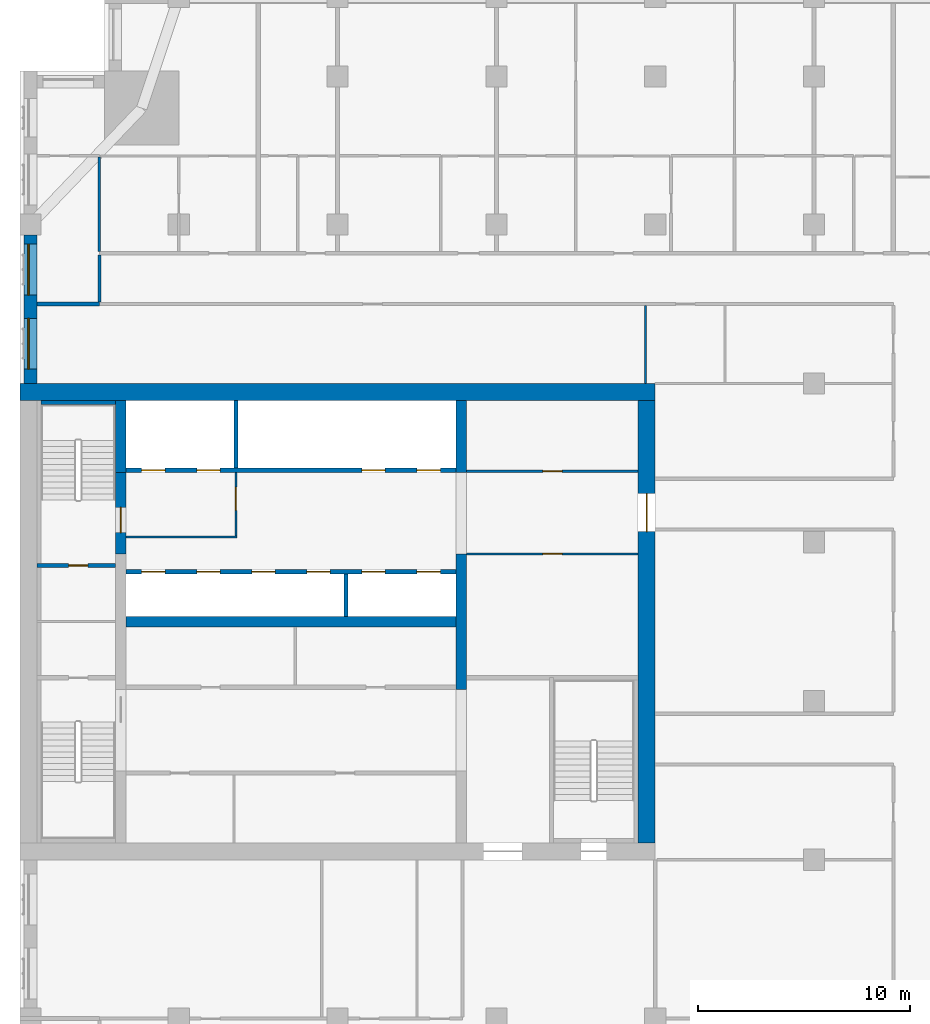
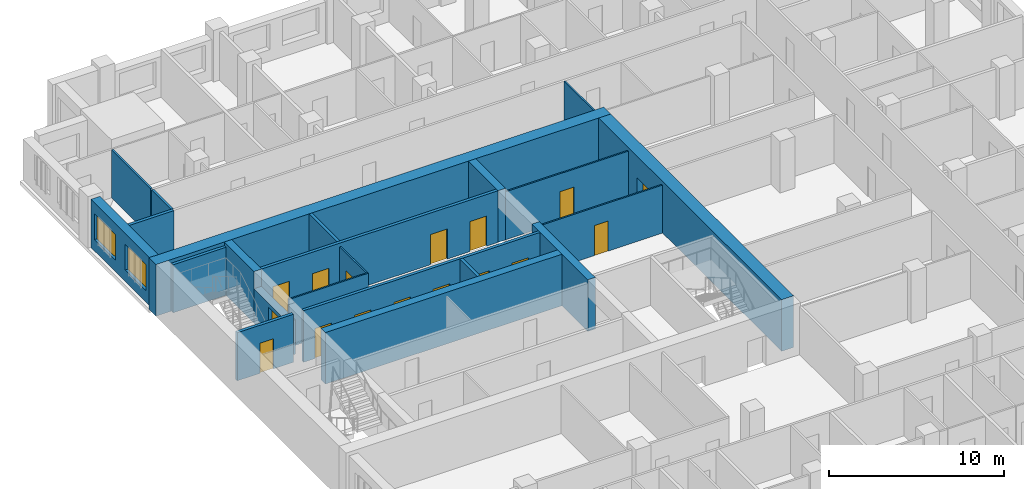
# One storey, part 8 of 14: 22 walls, 16 doors, 2 windows, 18 openings.
"""IFC4 building model written with IfcOpenShell, lengths in metres."""

from ifc_helpers import new_model, si_unit, direction, frame, frame_2d, origin, place, context, subcontext, project, spatial, rectangle, extrude, material, layer, layer_set, type_object, element, fill, save


model = new_model("IFC4")

# Units and contexts
model_context = context("Model", 3, precision=1e-05, world=origin(), true_north=direction((0.0, 1.0)))
body_context = subcontext(model_context, "Body", "Model", "MODEL_VIEW")
ifc_project = project(units=[si_unit("LENGTHUNIT", "METRE"), si_unit("AREAUNIT", "SQUARE_METRE"), si_unit("VOLUMEUNIT", "CUBIC_METRE"), si_unit("PLANEANGLEUNIT", "RADIAN"), si_unit("MASSUNIT", "GRAM", prefix="KILO")], contexts=[model_context])

# Site, building, storey
site_placement = place(None, origin())
site = spatial("IfcSite", under=ifc_project, at=site_placement, CompositionType="ELEMENT")
building_placement = place(site_placement, origin())
building = spatial("IfcBuilding", under=site, at=building_placement, Name="Tamorin Gate", CompositionType="ELEMENT")
storey_placement = place(building_placement, frame((0.0, 0.0, 155.39990234375)))
storey = spatial("IfcBuildingStorey", under=building, at=storey_placement, Name="L38", CompositionType="ELEMENT", Elevation=155.39990234375)

# Wall, openings, windows
ifc_material_1 = material(Name="Precast concrete C40/50", Category="concrete")
ifc_layer_1 = layer(ifc_material_1, 0.60009765625)
ifc_layer_set_1 = layer_set([ifc_layer_1], Name="Precast concrete C40/50")
wall_type_1 = type_object("IfcWallType", Name="Board-marked concrete facade panel 600", PredefinedType="SOLIDWALL", material=ifc_layer_set_1)
wall_1_placement = place(storey_placement, frame((30.5, 89.5, 0.0), z_axis=(0.0, 0.0, 1.0), x_axis=(0.0, -1.0, 0.0)))
wall_1 = element("IfcWall", 1, at=wall_1_placement, inside=storey, type_object=wall_type_1, Name="Facade panel", PredefinedType="SOLIDWALL", context=body_context, shape_type="SweptSolid", body=[
    extrude(rectangle(XDim=7.0, YDim=0.60009765625, at=frame_2d((3.5, 0.0))), origin(), (0.0, 0.0, 1.0), 3.35009765625),
])
opening_1_placement = place(wall_1_placement, frame((3.925048828125, 0.0, 0.800048828125)))
opening_1 = element("IfcOpeningElement", 2, at=opening_1_placement, cuts=wall_1, Name="Opening WN1", PredefinedType="OPENING", context=body_context, shape_type="SweptSolid", body=[
    extrude(rectangle(XDim=2.39990234375, YDim=1.800048828125, at=frame_2d((1.199951171875, 0.89990234375))), frame((0.0, 0.31005859375, 0.0), z_axis=(0.0, -1.0, 0.0), x_axis=(1.0, 0.0, 0.0)), (0.0, 0.0, 1.0), 0.6201171875),
])
opening_2_placement = place(wall_1_placement, frame((0.425048828125, 0.0, 0.800048828125)))
opening_2 = element("IfcOpeningElement", 3, at=opening_2_placement, cuts=wall_1, Name="Opening WN1", PredefinedType="OPENING", context=body_context, shape_type="SweptSolid", body=[
    extrude(rectangle(XDim=2.39990234375, YDim=1.800048828125, at=frame_2d((1.199951171875, 0.89990234375))), frame((0.0, 0.31005859375, 0.0), z_axis=(0.0, -1.0, 0.0), x_axis=(1.0, 0.0, 0.0)), (0.0, 0.0, 1.0), 0.6201171875),
])
ifc_material_2 = material(Name="Clear glass in aluminium frame", Category="aluminium")
window_type = type_object("IfcWindowType", Name="Deep-set window 2400x1800", PartitioningType="SINGLE_PANEL", PredefinedType="WINDOW", material=ifc_material_2)
window_1_placement = place(opening_1_placement, origin())
window_1 = element("IfcWindow", 4, at=window_1_placement, inside=storey, type_object=window_type, Name="Deep-set window", OverallHeight=1.800048828125, OverallWidth=2.39990234375, PartitioningType="SINGLE_PANEL", PredefinedType="WINDOW", context=body_context, shape_type="SweptSolid", body=[
    extrude(rectangle(XDim=2.39990234375, YDim=1.800048828125, at=frame_2d((1.199951171875, 0.89990234375))), frame((0.0, -0.070068359375, 0.0), z_axis=(0.0, -1.0, 0.0), x_axis=(1.0, 0.0, 0.0)), (0.0, 0.0, 1.0), 0.06005859375),
])
fill(opening_1, window_1)
window_2_placement = place(opening_2_placement, origin())
window_2 = element("IfcWindow", 5, at=window_2_placement, inside=storey, type_object=window_type, Name="Deep-set window", OverallHeight=1.800048828125, OverallWidth=2.39990234375, PartitioningType="SINGLE_PANEL", PredefinedType="WINDOW", context=body_context, shape_type="SweptSolid", body=[
    extrude(rectangle(XDim=2.39990234375, YDim=1.800048828125, at=frame_2d((1.199951171875, 0.89990234375))), frame((0.0, -0.070068359375, 0.0), z_axis=(0.0, -1.0, 0.0), x_axis=(1.0, 0.0, 0.0)), (0.0, 0.0, 1.0), 0.06005859375),
])
fill(opening_2, window_2)

# Walls
ifc_material_3 = material(Name="Gypsum board partition")
ifc_layer_2 = layer(ifc_material_3, 0.14990234375)
ifc_layer_set_2 = layer_set([ifc_layer_2], Name="Corridor wall 150")
wall_type_2 = type_object("IfcWallType", Name="Corridor wall 150", PredefinedType="PARTITIONING", material=ifc_layer_set_2)
wall_2_placement = place(storey_placement, frame((33.75, 86.35009765625, 0.0), z_axis=(0.0, 0.0, 1.0), x_axis=(0.0, 1.0, 0.0)))
element("IfcWall", 6, at=wall_2_placement, inside=storey, type_object=wall_type_2, Name="Corridor wall 150", PredefinedType="PARTITIONING", context=body_context, shape_type="SweptSolid", body=[
    extrude(rectangle(XDim=2.224853515625, YDim=0.14990234375, at=frame_2d((1.1123046875, 0.0))), origin(), (0.0, 0.0, 1.0), 3.35009765625),
])
ifc_layer_3 = layer(ifc_material_3, 0.199951171875)
ifc_layer_set_3 = layer_set([ifc_layer_3], Name="Demising wall 200")
wall_type_3 = type_object("IfcWallType", Name="Demising wall 200", PredefinedType="PARTITIONING", material=ifc_layer_set_3)
wall_3_placement = place(storey_placement, frame((30.81005859375, 86.25, 0.0), z_axis=(0.0, 0.0, 1.0), x_axis=(1.0, 0.0, 0.0)))
element("IfcWall", 7, at=wall_3_placement, inside=storey, type_object=wall_type_3, Name="Demising wall 200", PredefinedType="PARTITIONING", context=body_context, shape_type="SweptSolid", body=[
    extrude(rectangle(XDim=2.93994140625, YDim=0.199951171875, at=frame_2d((1.469970703125, 0.0))), origin(), (0.0, 0.0, 1.0), 3.35009765625),
])

# Wall, openings, doors
ifc_material_4 = material(Name="Concrete C32/40", Category="concrete")
ifc_layer_4 = layer(ifc_material_4, 0.199951171875)
ifc_layer_set_4 = layer_set([ifc_layer_4], Name="Lift lobby face wall 200 EI 120")
wall_type_4 = type_object("IfcWallType", Name="Lift lobby face wall 200 EI 120", PredefinedType="SOLIDWALL", material=ifc_layer_set_4)
wall_4_placement = place(storey_placement, frame((35.0, 73.60009765625, 0.0), z_axis=(0.0, 0.0, 1.0), x_axis=(1.0, 0.0, 0.0)))
wall_4 = element("IfcWall", 8, at=wall_4_placement, inside=storey, type_object=wall_type_4, Name="Lift lobby face wall", PredefinedType="SOLIDWALL", context=body_context, shape_type="SweptSolid", body=[
    extrude(rectangle(XDim=15.60009765625, YDim=0.199951171875, at=frame_2d((7.800048828125, 0.0))), origin(), (0.0, 0.0, 1.0), 3.60009765625),
])
opening_3_placement = place(wall_4_placement, frame((0.75, 0.0, 0.0)))
opening_3 = element("IfcOpeningElement", 9, at=opening_3_placement, cuts=wall_4, Name="Opening LD11", PredefinedType="OPENING", context=body_context, shape_type="SweptSolid", body=[
    extrude(rectangle(XDim=1.10009765625, YDim=2.10009765625, at=frame_2d((0.550048828125, 1.050048828125))), frame((0.0, 0.10986328125, 0.0), z_axis=(0.0, -1.0, 0.0), x_axis=(1.0, 0.0, 0.0)), (0.0, 0.0, 1.0), 0.219970703125),
])
opening_4_placement = place(wall_4_placement, frame((3.35009765625, 0.0, 0.0)))
opening_4 = element("IfcOpeningElement", 10, at=opening_4_placement, cuts=wall_4, Name="Opening LD12", PredefinedType="OPENING", context=body_context, shape_type="SweptSolid", body=[
    extrude(rectangle(XDim=1.10009765625, YDim=2.10009765625, at=frame_2d((0.550048828125, 1.050048828125))), frame((0.0, 0.10986328125, 0.0), z_axis=(0.0, -1.0, 0.0), x_axis=(1.0, 0.0, 0.0)), (0.0, 0.0, 1.0), 0.219970703125),
])
opening_5_placement = place(wall_4_placement, frame((5.949951171875, 0.0, 0.0)))
opening_5 = element("IfcOpeningElement", 11, at=opening_5_placement, cuts=wall_4, Name="Opening LD13", PredefinedType="OPENING", context=body_context, shape_type="SweptSolid", body=[
    extrude(rectangle(XDim=1.10009765625, YDim=2.10009765625, at=frame_2d((0.550048828125, 1.050048828125))), frame((0.0, 0.10986328125, 0.0), z_axis=(0.0, -1.0, 0.0), x_axis=(1.0, 0.0, 0.0)), (0.0, 0.0, 1.0), 0.219970703125),
])
opening_6_placement = place(wall_4_placement, frame((8.550048828125, 0.0, 0.0)))
opening_6 = element("IfcOpeningElement", 12, at=opening_6_placement, cuts=wall_4, Name="Opening LD14", PredefinedType="OPENING", context=body_context, shape_type="SweptSolid", body=[
    extrude(rectangle(XDim=1.10009765625, YDim=2.10009765625, at=frame_2d((0.550048828125, 1.050048828125))), frame((0.0, 0.10986328125, 0.0), z_axis=(0.0, -1.0, 0.0), x_axis=(1.0, 0.0, 0.0)), (0.0, 0.0, 1.0), 0.219970703125),
])
opening_7_placement = place(wall_4_placement, frame((11.14990234375, 0.0, 0.0)))
opening_7 = element("IfcOpeningElement", 13, at=opening_7_placement, cuts=wall_4, Name="Opening LD15", PredefinedType="OPENING", context=body_context, shape_type="SweptSolid", body=[
    extrude(rectangle(XDim=1.10009765625, YDim=2.10009765625, at=frame_2d((0.550048828125, 1.050048828125))), frame((0.0, 0.10986328125, 0.0), z_axis=(0.0, -1.0, 0.0), x_axis=(1.0, 0.0, 0.0)), (0.0, 0.0, 1.0), 0.219970703125),
])
opening_8_placement = place(wall_4_placement, frame((13.75, 0.0, 0.0)))
opening_8 = element("IfcOpeningElement", 14, at=opening_8_placement, cuts=wall_4, Name="Opening LD16", PredefinedType="OPENING", context=body_context, shape_type="SweptSolid", body=[
    extrude(rectangle(XDim=1.10009765625, YDim=2.10009765625, at=frame_2d((0.550048828125, 1.050048828125))), frame((0.0, 0.10986328125, 0.0), z_axis=(0.0, -1.0, 0.0), x_axis=(1.0, 0.0, 0.0)), (0.0, 0.0, 1.0), 0.219970703125),
])
ifc_material_5 = material(Name="Stainless steel sliding door", Category="steel")
door_type_1 = type_object("IfcDoorType", Name="Lift landing door 1100 x 2100 E 90", OperationType="DOUBLE_DOOR_SLIDING", PredefinedType="DOOR", material=ifc_material_5)
door_1_placement = place(opening_3_placement, origin())
door_1 = element("IfcDoor", 15, at=door_1_placement, inside=storey, type_object=door_type_1, Name="HR1 landing door", OperationType="DOUBLE_DOOR_SLIDING", OverallHeight=2.10009765625, OverallWidth=1.10009765625, PredefinedType="DOOR", context=body_context, shape_type="SweptSolid", body=[
    extrude(rectangle(XDim=1.10009765625, YDim=2.10009765625, at=frame_2d((0.550048828125, 1.050048828125))), frame((0.0, 0.02490234375, 0.0), z_axis=(0.0, -1.0, 0.0), x_axis=(1.0, 0.0, 0.0)), (0.0, 0.0, 1.0), 0.050048828125),
])
fill(opening_3, door_1)
door_2_placement = place(opening_4_placement, origin())
door_2 = element("IfcDoor", 16, at=door_2_placement, inside=storey, type_object=door_type_1, Name="HR2 landing door", OperationType="DOUBLE_DOOR_SLIDING", OverallHeight=2.10009765625, OverallWidth=1.10009765625, PredefinedType="DOOR", context=body_context, shape_type="SweptSolid", body=[
    extrude(rectangle(XDim=1.10009765625, YDim=2.10009765625, at=frame_2d((0.550048828125, 1.050048828125))), frame((0.0, 0.02490234375, 0.0), z_axis=(0.0, -1.0, 0.0), x_axis=(1.0, 0.0, 0.0)), (0.0, 0.0, 1.0), 0.050048828125),
])
fill(opening_4, door_2)
door_3_placement = place(opening_5_placement, origin())
door_3 = element("IfcDoor", 17, at=door_3_placement, inside=storey, type_object=door_type_1, Name="HR3 landing door", OperationType="DOUBLE_DOOR_SLIDING", OverallHeight=2.10009765625, OverallWidth=1.10009765625, PredefinedType="DOOR", context=body_context, shape_type="SweptSolid", body=[
    extrude(rectangle(XDim=1.10009765625, YDim=2.10009765625, at=frame_2d((0.550048828125, 1.050048828125))), frame((0.0, 0.02490234375, 0.0), z_axis=(0.0, -1.0, 0.0), x_axis=(1.0, 0.0, 0.0)), (0.0, 0.0, 1.0), 0.050048828125),
])
fill(opening_5, door_3)
door_4_placement = place(opening_6_placement, origin())
door_4 = element("IfcDoor", 18, at=door_4_placement, inside=storey, type_object=door_type_1, Name="HR4 landing door", OperationType="DOUBLE_DOOR_SLIDING", OverallHeight=2.10009765625, OverallWidth=1.10009765625, PredefinedType="DOOR", context=body_context, shape_type="SweptSolid", body=[
    extrude(rectangle(XDim=1.10009765625, YDim=2.10009765625, at=frame_2d((0.550048828125, 1.050048828125))), frame((0.0, 0.02490234375, 0.0), z_axis=(0.0, -1.0, 0.0), x_axis=(1.0, 0.0, 0.0)), (0.0, 0.0, 1.0), 0.050048828125),
])
fill(opening_6, door_4)
door_5_placement = place(opening_7_placement, origin())
door_5 = element("IfcDoor", 19, at=door_5_placement, inside=storey, type_object=door_type_1, Name="HR5 landing door", OperationType="DOUBLE_DOOR_SLIDING", OverallHeight=2.10009765625, OverallWidth=1.10009765625, PredefinedType="DOOR", context=body_context, shape_type="SweptSolid", body=[
    extrude(rectangle(XDim=1.10009765625, YDim=2.10009765625, at=frame_2d((0.550048828125, 1.050048828125))), frame((0.0, 0.02490234375, 0.0), z_axis=(0.0, -1.0, 0.0), x_axis=(1.0, 0.0, 0.0)), (0.0, 0.0, 1.0), 0.050048828125),
])
fill(opening_7, door_5)
door_6_placement = place(opening_8_placement, origin())
door_6 = element("IfcDoor", 20, at=door_6_placement, inside=storey, type_object=door_type_1, Name="HR6 landing door", OperationType="DOUBLE_DOOR_SLIDING", OverallHeight=2.10009765625, OverallWidth=1.10009765625, PredefinedType="DOOR", context=body_context, shape_type="SweptSolid", body=[
    extrude(rectangle(XDim=1.10009765625, YDim=2.10009765625, at=frame_2d((0.550048828125, 1.050048828125))), frame((0.0, 0.02490234375, 0.0), z_axis=(0.0, -1.0, 0.0), x_axis=(1.0, 0.0, 0.0)), (0.0, 0.0, 1.0), 0.050048828125),
])
fill(opening_8, door_6)

wall_5_placement = place(storey_placement, frame((35.0, 78.39990234375, 0.0), z_axis=(0.0, 0.0, 1.0), x_axis=(1.0, 0.0, 0.0)))
wall_5 = element("IfcWall", 21, at=wall_5_placement, inside=storey, type_object=wall_type_4, Name="Lift lobby face wall", PredefinedType="SOLIDWALL", context=body_context, shape_type="SweptSolid", body=[
    extrude(rectangle(XDim=15.60009765625, YDim=0.199951171875, at=frame_2d((7.800048828125, 0.0))), origin(), (0.0, 0.0, 1.0), 3.60009765625),
])
opening_9_placement = place(wall_5_placement, frame((0.75, 0.0, 0.0)))
opening_9 = element("IfcOpeningElement", 22, at=opening_9_placement, cuts=wall_5, Name="Opening LD17", PredefinedType="OPENING", context=body_context, shape_type="SweptSolid", body=[
    extrude(rectangle(XDim=1.10009765625, YDim=2.10009765625, at=frame_2d((0.550048828125, 1.050048828125))), frame((0.0, 0.10986328125, 0.0), z_axis=(0.0, -1.0, 0.0), x_axis=(1.0, 0.0, 0.0)), (0.0, 0.0, 1.0), 0.219970703125),
])
opening_10_placement = place(wall_5_placement, frame((3.35009765625, 0.0, 0.0)))
opening_10 = element("IfcOpeningElement", 23, at=opening_10_placement, cuts=wall_5, Name="Opening LD18", PredefinedType="OPENING", context=body_context, shape_type="SweptSolid", body=[
    extrude(rectangle(XDim=1.10009765625, YDim=2.10009765625, at=frame_2d((0.550048828125, 1.050048828125))), frame((0.0, 0.10986328125, 0.0), z_axis=(0.0, -1.0, 0.0), x_axis=(1.0, 0.0, 0.0)), (0.0, 0.0, 1.0), 0.219970703125),
])
opening_11_placement = place(wall_5_placement, frame((11.14990234375, 0.0, 0.0)))
opening_11 = element("IfcOpeningElement", 24, at=opening_11_placement, cuts=wall_5, Name="Opening LD21", PredefinedType="OPENING", context=body_context, shape_type="SweptSolid", body=[
    extrude(rectangle(XDim=1.10009765625, YDim=2.10009765625, at=frame_2d((0.550048828125, 1.050048828125))), frame((0.0, 0.10986328125, 0.0), z_axis=(0.0, -1.0, 0.0), x_axis=(1.0, 0.0, 0.0)), (0.0, 0.0, 1.0), 0.219970703125),
])
opening_12_placement = place(wall_5_placement, frame((13.75, 0.0, 0.0)))
opening_12 = element("IfcOpeningElement", 25, at=opening_12_placement, cuts=wall_5, Name="Opening LD22", PredefinedType="OPENING", context=body_context, shape_type="SweptSolid", body=[
    extrude(rectangle(XDim=1.10009765625, YDim=2.10009765625, at=frame_2d((0.550048828125, 1.050048828125))), frame((0.0, 0.10986328125, 0.0), z_axis=(0.0, -1.0, 0.0), x_axis=(1.0, 0.0, 0.0)), (0.0, 0.0, 1.0), 0.219970703125),
])
door_7_placement = place(opening_9_placement, origin())
door_7 = element("IfcDoor", 26, at=door_7_placement, inside=storey, type_object=door_type_1, Name="FF1 landing door", OperationType="DOUBLE_DOOR_SLIDING", OverallHeight=2.10009765625, OverallWidth=1.10009765625, PredefinedType="DOOR", context=body_context, shape_type="SweptSolid", body=[
    extrude(rectangle(XDim=1.10009765625, YDim=2.10009765625, at=frame_2d((0.550048828125, 1.050048828125))), frame((0.0, 0.02490234375, 0.0), z_axis=(0.0, -1.0, 0.0), x_axis=(1.0, 0.0, 0.0)), (0.0, 0.0, 1.0), 0.050048828125),
])
fill(opening_9, door_7)
door_8_placement = place(opening_10_placement, origin())
door_8 = element("IfcDoor", 27, at=door_8_placement, inside=storey, type_object=door_type_1, Name="FF2 landing door", OperationType="DOUBLE_DOOR_SLIDING", OverallHeight=2.10009765625, OverallWidth=1.10009765625, PredefinedType="DOOR", context=body_context, shape_type="SweptSolid", body=[
    extrude(rectangle(XDim=1.10009765625, YDim=2.10009765625, at=frame_2d((0.550048828125, 1.050048828125))), frame((0.0, 0.02490234375, 0.0), z_axis=(0.0, -1.0, 0.0), x_axis=(1.0, 0.0, 0.0)), (0.0, 0.0, 1.0), 0.050048828125),
])
fill(opening_10, door_8)
door_9_placement = place(opening_11_placement, origin())
door_9 = element("IfcDoor", 28, at=door_9_placement, inside=storey, type_object=door_type_1, Name="SV1 landing door", OperationType="DOUBLE_DOOR_SLIDING", OverallHeight=2.10009765625, OverallWidth=1.10009765625, PredefinedType="DOOR", context=body_context, shape_type="SweptSolid", body=[
    extrude(rectangle(XDim=1.10009765625, YDim=2.10009765625, at=frame_2d((0.550048828125, 1.050048828125))), frame((0.0, 0.02490234375, 0.0), z_axis=(0.0, -1.0, 0.0), x_axis=(1.0, 0.0, 0.0)), (0.0, 0.0, 1.0), 0.050048828125),
])
fill(opening_11, door_9)
door_10_placement = place(opening_12_placement, origin())
door_10 = element("IfcDoor", 29, at=door_10_placement, inside=storey, type_object=door_type_1, Name="SV2 landing door", OperationType="DOUBLE_DOOR_SLIDING", OverallHeight=2.10009765625, OverallWidth=1.10009765625, PredefinedType="DOOR", context=body_context, shape_type="SweptSolid", body=[
    extrude(rectangle(XDim=1.10009765625, YDim=2.10009765625, at=frame_2d((0.550048828125, 1.050048828125))), frame((0.0, 0.02490234375, 0.0), z_axis=(0.0, -1.0, 0.0), x_axis=(1.0, 0.0, 0.0)), (0.0, 0.0, 1.0), 0.050048828125),
])
fill(opening_12, door_10)

# Walls
ifc_layer_5 = layer(ifc_material_4, 0.199951171875)
ifc_layer_set_5 = layer_set([ifc_layer_5], Name="Lift shaft wall 200 EI 120")
wall_type_5 = type_object("IfcWallType", Name="Lift shaft wall 200 EI 120", PredefinedType="SOLIDWALL", material=ifc_layer_set_5)
wall_6_placement = place(storey_placement, frame((45.39990234375, 71.5, 0.0), z_axis=(0.0, 0.0, 1.0), x_axis=(0.0, 1.0, 0.0)))
element("IfcWall", 30, at=wall_6_placement, inside=storey, type_object=wall_type_5, Name="Lift shaft wall", PredefinedType="SOLIDWALL", context=body_context, shape_type="SweptSolid", body=[
    extrude(rectangle(XDim=2.0, YDim=0.199951171875, at=frame_2d((1.0, 0.0))), origin(), (0.0, 0.0, 1.0), 3.60009765625),
])
wall_7_placement = place(storey_placement, frame((40.199951171875, 78.5, 0.0), z_axis=(0.0, 0.0, 1.0), x_axis=(0.0, 1.0, 0.0)))
element("IfcWall", 31, at=wall_7_placement, inside=storey, type_object=wall_type_5, Name="Lift shaft wall", PredefinedType="SOLIDWALL", context=body_context, shape_type="SweptSolid", body=[
    extrude(rectangle(XDim=3.199951171875, YDim=0.199951171875, at=frame_2d((1.60009765625, 0.0))), origin(), (0.0, 0.0, 1.0), 3.60009765625),
])
ifc_material_6 = material(Name="Fire-rated gypsum board partition")
ifc_layer_6 = layer(ifc_material_6, 0.10009765625)
ifc_layer_set_6 = layer_set([ifc_layer_6], Name="Lobby wall 100 EI 60")
wall_type_6 = type_object("IfcWallType", Name="Lobby wall 100 EI 60", PredefinedType="PARTITIONING", material=ifc_layer_set_6)
wall_8_placement = place(storey_placement, frame((35.0, 75.25, 0.0), z_axis=(0.0, 0.0, 1.0), x_axis=(1.0, 0.0, 0.0)))
element("IfcWall", 32, at=wall_8_placement, inside=storey, type_object=wall_type_6, Name="Firefighting lobby wall", PredefinedType="PARTITIONING", context=body_context, shape_type="SweptSolid", body=[
    extrude(rectangle(XDim=5.25, YDim=0.10009765625, at=frame_2d((2.625, 0.0))), origin(), (0.0, 0.0, 1.0), 3.35009765625),
])

# Wall, opening, door
wall_9_placement = place(storey_placement, frame((40.199951171875, 75.300048828125, 0.0), z_axis=(0.0, 0.0, 1.0), x_axis=(0.0, 1.0, 0.0)))
wall_9 = element("IfcWall", 33, at=wall_9_placement, inside=storey, type_object=wall_type_6, Name="Firefighting lobby wall", PredefinedType="PARTITIONING", context=body_context, shape_type="SweptSolid", body=[
    extrude(rectangle(XDim=3.0, YDim=0.10009765625, at=frame_2d((1.5, 0.0))), origin(), (0.0, 0.0, 1.0), 3.35009765625),
])
opening_13_placement = place(wall_9_placement, frame((1.199951171875, 0.0, 0.0)))
opening_13 = element("IfcOpeningElement", 34, at=opening_13_placement, cuts=wall_9, Name="Opening DF1", PredefinedType="OPENING", context=body_context, shape_type="SweptSolid", body=[
    extrude(rectangle(XDim=1.10009765625, YDim=2.10009765625, at=frame_2d((0.550048828125, 1.050048828125))), frame((0.0, 0.06005859375, 0.0), z_axis=(0.0, -1.0, 0.0), x_axis=(1.0, 0.0, 0.0)), (0.0, 0.0, 1.0), 0.1201171875),
])
ifc_material_7 = material(Name="Steel fire door", Category="steel")
door_type_2 = type_object("IfcDoorType", Name="Firefighting lobby door 1100 x 2100 EI 90", OperationType="SINGLE_SWING_LEFT", PredefinedType="DOOR", material=ifc_material_7)
door_11_placement = place(opening_13_placement, origin())
door_11 = element("IfcDoor", 35, at=door_11_placement, inside=storey, type_object=door_type_2, Name="Firefighting lobby door", OperationType="SINGLE_SWING_LEFT", OverallHeight=2.10009765625, OverallWidth=1.10009765625, PredefinedType="DOOR", context=body_context, shape_type="SweptSolid", body=[
    extrude(rectangle(XDim=1.10009765625, YDim=2.10009765625, at=frame_2d((0.550048828125, 1.050048828125))), frame((0.0, 0.02490234375, 0.0), z_axis=(0.0, -1.0, 0.0), x_axis=(1.0, 0.0, 0.0)), (0.0, 0.0, 1.0), 0.050048828125),
])
fill(opening_13, door_11)

# Walls
ifc_material_8 = material(Name="Concrete C60/75", Category="concrete")
ifc_layer_7 = layer(ifc_material_8, 0.5)
ifc_layer_set_7 = layer_set([ifc_layer_7], Name="RC core internal wall 500 C60/75")
wall_type_7 = type_object("IfcWallType", Name="RC core internal wall 500 C60/75", PredefinedType="SHEAR", material=ifc_layer_set_7)
wall_10_placement = place(storey_placement, frame((35.0, 71.25, 0.0), z_axis=(0.0, 0.0, 1.0), x_axis=(1.0, 0.0, 0.0)))
element("IfcWall", 36, at=wall_10_placement, inside=storey, type_object=wall_type_7, Name="Core spine wall L38", PredefinedType="SHEAR", context=body_context, shape_type="SweptSolid", body=[
    extrude(rectangle(XDim=15.60009765625, YDim=0.5, at=frame_2d((7.800048828125, 0.0))), origin(), (0.0, 0.0, 1.0), 3.60009765625),
])
wall_11_placement = place(storey_placement, frame((34.75, 78.300048828125, 0.0), z_axis=(0.0, 0.0, 1.0), x_axis=(0.0, 1.0, 0.0)))
element("IfcWall", 37, at=wall_11_placement, inside=storey, type_object=wall_type_7, Name="Core cross wall L38", PredefinedType="SHEAR", context=body_context, shape_type="SweptSolid", body=[
    extrude(rectangle(XDim=3.39990234375, YDim=0.5, at=frame_2d((1.699951171875, 0.0))), origin(), (0.0, 0.0, 1.0), 3.60009765625),
])
wall_12_placement = place(storey_placement, frame((50.85009765625, 68.050048828125, 0.0), z_axis=(0.0, 0.0, 1.0), x_axis=(0.0, 1.0, 0.0)))
element("IfcWall", 38, at=wall_12_placement, inside=storey, type_object=wall_type_7, Name="Core cross wall L38", PredefinedType="SHEAR", context=body_context, shape_type="SweptSolid", body=[
    extrude(rectangle(XDim=6.39990234375, YDim=0.5, at=frame_2d((3.199951171875, 0.0))), origin(), (0.0, 0.0, 1.0), 3.60009765625),
])
wall_13_placement = place(storey_placement, frame((50.85009765625, 78.300048828125, 0.0), z_axis=(0.0, 0.0, 1.0), x_axis=(0.0, 1.0, 0.0)))
element("IfcWall", 39, at=wall_13_placement, inside=storey, type_object=wall_type_7, Name="Core cross wall L38", PredefinedType="SHEAR", context=body_context, shape_type="SweptSolid", body=[
    extrude(rectangle(XDim=3.39990234375, YDim=0.5, at=frame_2d((1.699951171875, 0.0))), origin(), (0.0, 0.0, 1.0), 3.60009765625),
])
ifc_layer_8 = layer(ifc_material_8, 0.800048828125)
ifc_layer_set_8 = layer_set([ifc_layer_8], Name="RC core wall 800 C60/75")
wall_type_8 = type_object("IfcWallType", Name="RC core wall 800 C60/75", PredefinedType="SHEAR", material=ifc_layer_set_8)
wall_14_placement = place(storey_placement, frame((30.0, 82.10009765625, 0.0), z_axis=(0.0, 0.0, 1.0), x_axis=(1.0, 0.0, 0.0)))
element("IfcWall", 40, at=wall_14_placement, inside=storey, type_object=wall_type_8, Name="Core wall L38", PredefinedType="SHEAR", context=body_context, shape_type="SweptSolid", body=[
    extrude(rectangle(XDim=30.0, YDim=0.800048828125, at=frame_2d((15.0, 0.0))), origin(), (0.0, 0.0, 1.0), 3.60009765625),
])

# Wall, opening, door
wall_15_placement = place(storey_placement, frame((59.60009765625, 60.800048828125, 0.0), z_axis=(0.0, 0.0, 1.0), x_axis=(0.0, 1.0, 0.0)))
wall_15 = element("IfcWall", 41, at=wall_15_placement, inside=storey, type_object=wall_type_8, Name="Core wall L38", PredefinedType="SHEAR", context=body_context, shape_type="SweptSolid", body=[
    extrude(rectangle(XDim=20.89990234375, YDim=0.800048828125, at=frame_2d((10.449951171875, 0.0))), origin(), (0.0, 0.0, 1.0), 3.60009765625),
])
opening_14_placement = place(wall_15_placement, frame((14.699951171875, 0.0, 0.0)))
opening_14 = element("IfcOpeningElement", 42, at=opening_14_placement, cuts=wall_15, Name="Opening DE1", PredefinedType="OPENING", context=body_context, shape_type="SweptSolid", body=[
    extrude(rectangle(XDim=1.800048828125, YDim=2.10009765625, at=frame_2d((0.89990234375, 1.050048828125))), frame((0.0, 0.409912109375, 0.0), z_axis=(0.0, -1.0, 0.0), x_axis=(1.0, 0.0, 0.0)), (0.0, 0.0, 1.0), 0.820068359375),
])
door_type_3 = type_object("IfcDoorType", Name="Lobby exit double door 1800 x 2100 EI 60", OperationType="DOUBLE_DOOR_SINGLE_SWING", PredefinedType="DOOR", material=ifc_material_7)
door_12_placement = place(opening_14_placement, origin())
door_12 = element("IfcDoor", 43, at=door_12_placement, inside=storey, type_object=door_type_3, Name="Lift lobby B exit door", OperationType="DOUBLE_DOOR_SINGLE_SWING", OverallHeight=2.10009765625, OverallWidth=1.800048828125, PredefinedType="DOOR", context=body_context, shape_type="SweptSolid", body=[
    extrude(rectangle(XDim=1.800048828125, YDim=2.10009765625, at=frame_2d((0.89990234375, 1.050048828125))), frame((0.0, 0.02490234375, 0.0), z_axis=(0.0, -1.0, 0.0), x_axis=(1.0, 0.0, 0.0)), (0.0, 0.0, 1.0), 0.050048828125),
])
fill(opening_14, door_12)

# Wall
ifc_layer_9 = layer(ifc_material_3, 0.10009765625)
ifc_layer_set_9 = layer_set([ifc_layer_9], Name="Room partition 100")
wall_type_9 = type_object("IfcWallType", Name="Room partition 100", PredefinedType="PARTITIONING", material=ifc_layer_set_9)
wall_16_placement = place(storey_placement, frame((59.550048828125, 82.5, 0.0), z_axis=(0.0, 0.0, 1.0), x_axis=(0.0, 1.0, 0.0)))
element("IfcWall", 44, at=wall_16_placement, inside=storey, type_object=wall_type_9, Name="Room partition 100", PredefinedType="PARTITIONING", context=body_context, shape_type="SweptSolid", body=[
    extrude(rectangle(XDim=3.675048828125, YDim=0.10009765625, at=frame_2d((1.83740234375, 0.0))), origin(), (0.0, 0.0, 1.0), 3.35009765625),
])

# Wall, opening, door
ifc_layer_10 = layer(ifc_material_3, 0.10009765625)
ifc_layer_set_10 = layer_set([ifc_layer_10], Name="Service room partition 100 EI 60")
wall_type_10 = type_object("IfcWallType", Name="Service room partition 100 EI 60", PredefinedType="PARTITIONING", material=ifc_layer_set_10)
wall_17_placement = place(storey_placement, frame((51.10009765625, 74.449951171875, 0.0), z_axis=(0.0, 0.0, 1.0), x_axis=(1.0, 0.0, 0.0)))
wall_17 = element("IfcWall", 45, at=wall_17_placement, inside=storey, type_object=wall_type_10, Name="Service room wall", PredefinedType="PARTITIONING", context=body_context, shape_type="SweptSolid", body=[
    extrude(rectangle(XDim=8.099853515625, YDim=0.10009765625, at=frame_2d((4.0498046875, 0.0))), origin(), (0.0, 0.0, 1.0), 3.35009765625),
])
opening_15_placement = place(wall_17_placement, frame((3.60009765625, 0.0, 0.0)))
opening_15 = element("IfcOpeningElement", 46, at=opening_15_placement, cuts=wall_17, Name="Opening DR1", PredefinedType="OPENING", context=body_context, shape_type="SweptSolid", body=[
    extrude(rectangle(XDim=0.89990234375, YDim=2.10009765625, at=frame_2d((0.449951171875, 1.050048828125))), frame((0.0, 0.06005859375, 0.0), z_axis=(0.0, -1.0, 0.0), x_axis=(1.0, 0.0, 0.0)), (0.0, 0.0, 1.0), 0.1201171875),
])
door_type_4 = type_object("IfcDoorType", Name="Riser access door 900 x 2100 EI 120", OperationType="SINGLE_SWING_LEFT", PredefinedType="DOOR", material=ifc_material_7)
door_13_placement = place(opening_15_placement, origin())
door_13 = element("IfcDoor", 47, at=door_13_placement, inside=storey, type_object=door_type_4, Name="Duct riser door", OperationType="SINGLE_SWING_RIGHT", OverallHeight=2.10009765625, OverallWidth=0.89990234375, PredefinedType="DOOR", context=body_context, shape_type="SweptSolid", body=[
    extrude(rectangle(XDim=0.89990234375, YDim=2.10009765625, at=frame_2d((0.449951171875, 1.050048828125))), frame((0.0, 0.02490234375, 0.0), z_axis=(0.0, -1.0, 0.0), x_axis=(1.0, 0.0, 0.0)), (0.0, 0.0, 1.0), 0.050048828125),
])
fill(opening_15, door_13)

wall_18_placement = place(storey_placement, frame((51.10009765625, 78.35009765625, 0.0), z_axis=(0.0, 0.0, 1.0), x_axis=(1.0, 0.0, 0.0)))
wall_18 = element("IfcWall", 48, at=wall_18_placement, inside=storey, type_object=wall_type_10, Name="Service room wall", PredefinedType="PARTITIONING", context=body_context, shape_type="SweptSolid", body=[
    extrude(rectangle(XDim=8.099853515625, YDim=0.10009765625, at=frame_2d((4.0498046875, 0.0))), origin(), (0.0, 0.0, 1.0), 3.35009765625),
])
opening_16_placement = place(wall_18_placement, frame((3.60009765625, 0.0, 0.0)))
opening_16 = element("IfcOpeningElement", 49, at=opening_16_placement, cuts=wall_18, Name="Opening DK1", PredefinedType="OPENING", context=body_context, shape_type="SweptSolid", body=[
    extrude(rectangle(XDim=0.89990234375, YDim=2.10009765625, at=frame_2d((0.449951171875, 1.050048828125))), frame((0.0, 0.06005859375, 0.0), z_axis=(0.0, -1.0, 0.0), x_axis=(1.0, 0.0, 0.0)), (0.0, 0.0, 1.0), 0.1201171875),
])
ifc_material_9 = material(Name="Timber fire door", Category="wood")
door_type_5 = type_object("IfcDoorType", Name="Service room door 900 x 2100 EI 60", OperationType="SINGLE_SWING_LEFT", PredefinedType="DOOR", material=ifc_material_9)
door_14_placement = place(opening_16_placement, origin())
door_14 = element("IfcDoor", 50, at=door_14_placement, inside=storey, type_object=door_type_5, Name="Door Linen store", OperationType="SINGLE_SWING_RIGHT", OverallHeight=2.10009765625, OverallWidth=0.89990234375, PredefinedType="DOOR", context=body_context, shape_type="SweptSolid", body=[
    extrude(rectangle(XDim=0.89990234375, YDim=2.10009765625, at=frame_2d((0.449951171875, 1.050048828125))), frame((0.0, 0.02490234375, 0.0), z_axis=(0.0, -1.0, 0.0), x_axis=(1.0, 0.0, 0.0)), (0.0, 0.0, 1.0), 0.050048828125),
])
fill(opening_16, door_14)

ifc_material_10 = material(Name="Concrete C40/50", Category="concrete")
ifc_layer_11 = layer(ifc_material_10, 0.199951171875)
ifc_layer_set_11 = layer_set([ifc_layer_11], Name="Stair enclosure wall 200 EI 120 C40/50")
wall_type_11 = type_object("IfcWallType", Name="Stair enclosure wall 200 EI 120 C40/50", PredefinedType="SOLIDWALL", material=ifc_layer_set_11)
wall_19_placement = place(storey_placement, frame((30.800048828125, 73.89990234375, 0.0), z_axis=(0.0, 0.0, 1.0), x_axis=(1.0, 0.0, 0.0)))
wall_19 = element("IfcWall", 51, at=wall_19_placement, inside=storey, type_object=wall_type_11, Name="Stair enclosure wall", PredefinedType="SOLIDWALL", context=body_context, shape_type="SweptSolid", body=[
    extrude(rectangle(XDim=3.699951171875, YDim=0.199951171875, at=frame_2d((1.85009765625, 0.0))), origin(), (0.0, 0.0, 1.0), 3.35009765625),
])
opening_17_placement = place(wall_19_placement, frame((1.5, 0.0, 0.0)))
opening_17 = element("IfcOpeningElement", 52, at=opening_17_placement, cuts=wall_19, Name="Opening DR1", PredefinedType="OPENING", context=body_context, shape_type="SweptSolid", body=[
    extrude(rectangle(XDim=0.89990234375, YDim=2.10009765625, at=frame_2d((0.449951171875, 1.050048828125))), frame((0.0, 0.10986328125, 0.0), z_axis=(0.0, -1.0, 0.0), x_axis=(1.0, 0.0, 0.0)), (0.0, 0.0, 1.0), 0.219970703125),
])
door_15_placement = place(opening_17_placement, origin())
door_15 = element("IfcDoor", 53, at=door_15_placement, inside=storey, type_object=door_type_4, Name="Communications riser door", OperationType="SINGLE_SWING_RIGHT", OverallHeight=2.10009765625, OverallWidth=0.89990234375, PredefinedType="DOOR", context=body_context, shape_type="SweptSolid", body=[
    extrude(rectangle(XDim=0.89990234375, YDim=2.10009765625, at=frame_2d((0.449951171875, 1.050048828125))), frame((0.0, 0.02490234375, 0.0), z_axis=(0.0, -1.0, 0.0), x_axis=(1.0, 0.0, 0.0)), (0.0, 0.0, 1.0), 0.050048828125),
])
fill(opening_17, door_15)

# Wall
ifc_layer_12 = layer(ifc_material_8, 0.199951171875)
ifc_layer_set_12 = layer_set([ifc_layer_12], Name="Stair lining wall 200 EI 120 C60/75")
wall_type_12 = type_object("IfcWallType", Name="Stair lining wall 200 EI 120 C60/75", PredefinedType="SOLIDWALL", material=ifc_layer_set_12)
wall_20_placement = place(storey_placement, frame((31.0, 81.60009765625, 0.0), z_axis=(0.0, 0.0, 1.0), x_axis=(1.0, 0.0, 0.0)))
element("IfcWall", 54, at=wall_20_placement, inside=storey, type_object=wall_type_12, Name="Stair lining wall", PredefinedType="SOLIDWALL", context=body_context, shape_type="SweptSolid", body=[
    extrude(rectangle(XDim=3.5, YDim=0.199951171875, at=frame_2d((1.75, 0.0))), origin(), (0.0, 0.0, 1.0), 3.35009765625),
])

# Wall, opening, door
ifc_layer_13 = layer(ifc_material_4, 0.5)
ifc_layer_set_13 = layer_set([ifc_layer_13], Name="Stair lobby infill wall 500 EI 120")
wall_type_13 = type_object("IfcWallType", Name="Stair lobby infill wall 500 EI 120", PredefinedType="SOLIDWALL", material=ifc_layer_set_13)
wall_21_placement = place(storey_placement, frame((34.75, 74.449951171875, 0.0), z_axis=(0.0, 0.0, 1.0), x_axis=(0.0, 1.0, 0.0)))
wall_21 = element("IfcWall", 55, at=wall_21_placement, inside=storey, type_object=wall_type_13, Name="Stair lobby infill wall", PredefinedType="SOLIDWALL", context=body_context, shape_type="SweptSolid", body=[
    extrude(rectangle(XDim=3.85009765625, YDim=0.5, at=frame_2d((1.925048828125, 0.0))), origin(), (0.0, 0.0, 1.0), 2.400146484375),
])
opening_18_placement = place(wall_21_placement, frame((1.0, 0.0, 0.0)))
opening_18 = element("IfcOpeningElement", 56, at=opening_18_placement, cuts=wall_21, Name="Opening DS1", PredefinedType="OPENING", context=body_context, shape_type="SweptSolid", body=[
    extrude(rectangle(XDim=1.199951171875, YDim=2.10009765625, at=frame_2d((0.60009765625, 1.050048828125))), frame((0.0, 0.260009765625, 0.0), z_axis=(0.0, -1.0, 0.0), x_axis=(1.0, 0.0, 0.0)), (0.0, 0.0, 1.0), 0.52001953125),
])
door_type_6 = type_object("IfcDoorType", Name="Stair door 1200 x 2100 EI 90", OperationType="SINGLE_SWING_LEFT", PredefinedType="DOOR", material=ifc_material_7)
door_16_placement = place(opening_18_placement, origin())
door_16 = element("IfcDoor", 57, at=door_16_placement, inside=storey, type_object=door_type_6, Name="ST2 door", OperationType="SINGLE_SWING_RIGHT", OverallHeight=2.10009765625, OverallWidth=1.199951171875, PredefinedType="DOOR", context=body_context, shape_type="SweptSolid", body=[
    extrude(rectangle(XDim=1.199951171875, YDim=2.10009765625, at=frame_2d((0.60009765625, 1.050048828125))), frame((0.0, 0.02490234375, 0.0), z_axis=(0.0, -1.0, 0.0), x_axis=(1.0, 0.0, 0.0)), (0.0, 0.0, 1.0), 0.050048828125),
])
fill(opening_18, door_16)

# Wall
ifc_layer_14 = layer(ifc_material_3, 0.125)
ifc_layer_set_14 = layer_set([ifc_layer_14], Name="Wet wall 125")
wall_type_14 = type_object("IfcWallType", Name="Wet wall 125", PredefinedType="PARTITIONING", material=ifc_layer_set_14)
wall_22_placement = place(storey_placement, frame((33.75, 88.72509765625, 0.0), z_axis=(0.0, 0.0, 1.0), x_axis=(0.0, 1.0, 0.0)))
element("IfcWall", 58, at=wall_22_placement, inside=storey, type_object=wall_type_14, Name="Wet wall 125", PredefinedType="PARTITIONING", context=body_context, shape_type="SweptSolid", body=[
    extrude(rectangle(XDim=4.46240234375, YDim=0.125, at=frame_2d((2.231201171875, 0.0))), origin(), (0.0, 0.0, 1.0), 3.35009765625),
])

save(model, "model.ifc")
